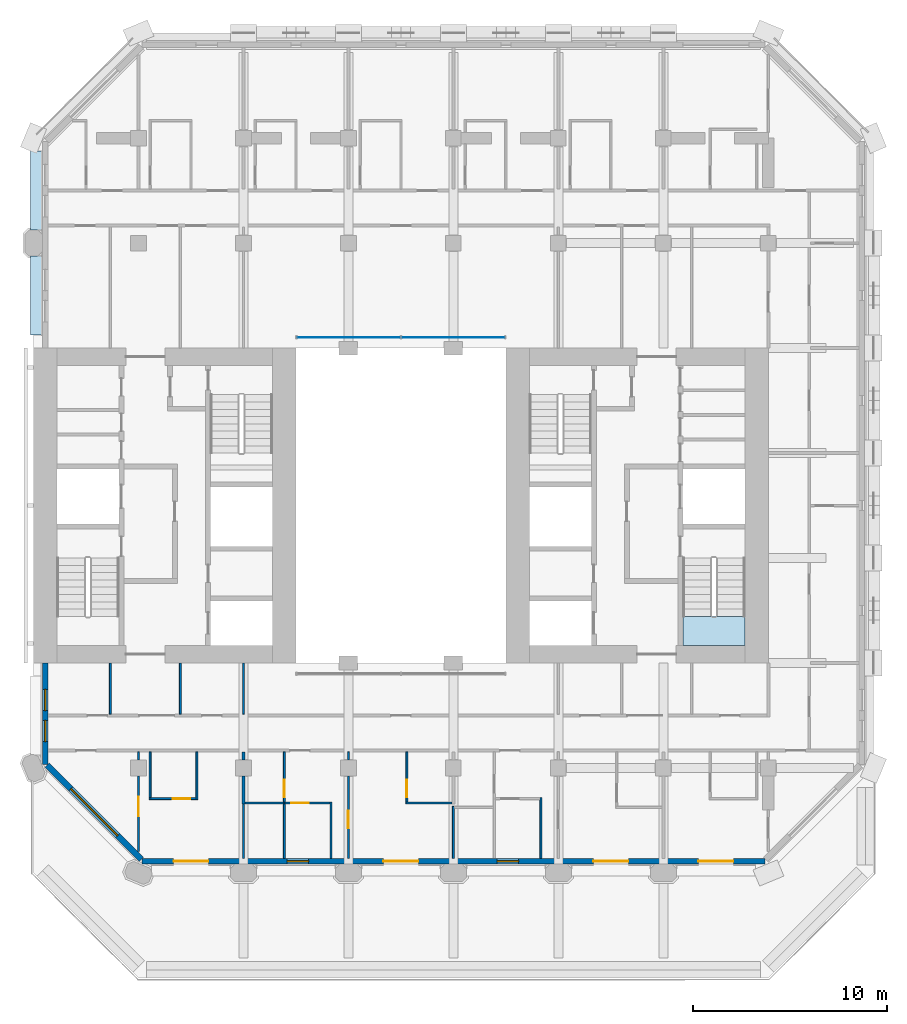
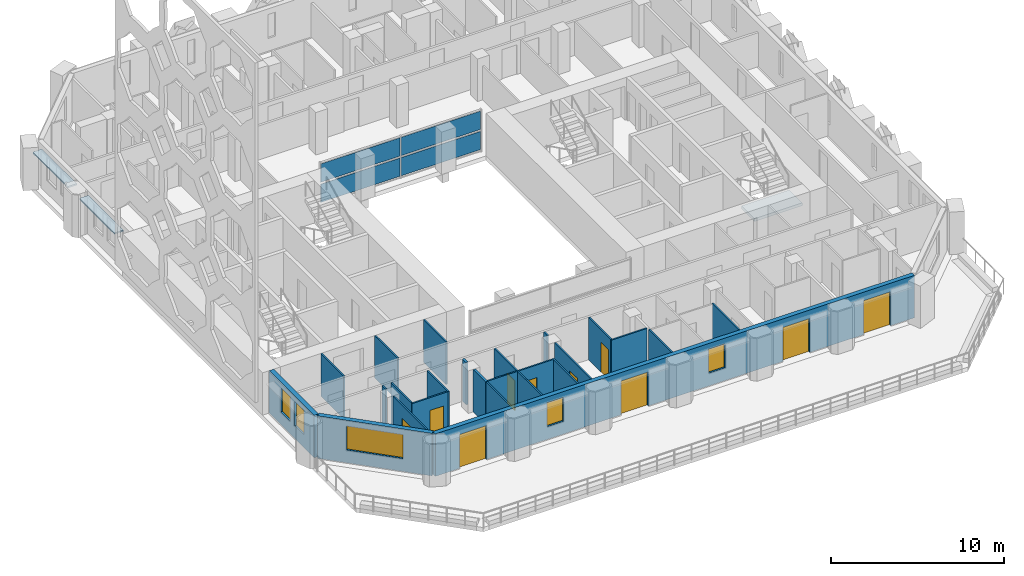
# One storey, part 8 of 17: 24 walls, 10 doors, 6 plates, 5 windows, 1 slab, 15 openings, 2 elements without a shape of their own.
"""IFC4 building model written with IfcOpenShell, lengths in metres."""

from ifc_helpers import new_model, si_unit, direction, frame, frame_2d, origin, origin_2d, place, context, subcontext, project, spatial, polyline, rectangle, outline, extrude, material, layer, layer_set, type_object, element, fill, aggregate, save


model = new_model("IFC4")

# Units and contexts
model_context = context("Model", 3, precision=1e-05, world=origin(), true_north=direction((0.0, 1.0)))
body_context = subcontext(model_context, "Body", "Model", "MODEL_VIEW")
ifc_project = project(units=[si_unit("LENGTHUNIT", "METRE"), si_unit("AREAUNIT", "SQUARE_METRE"), si_unit("VOLUMEUNIT", "CUBIC_METRE"), si_unit("PLANEANGLEUNIT", "RADIAN"), si_unit("MASSUNIT", "GRAM", prefix="KILO")], contexts=[model_context])

# Site, building, storey
site_placement = place(None, origin())
site = spatial("IfcSite", under=ifc_project, at=site_placement, CompositionType="ELEMENT")
building_placement = place(site_placement, origin())
building = spatial("IfcBuilding", under=site, at=building_placement, Name="Tabaq Tower and Sports Hall", CompositionType="ELEMENT")
storey_placement = place(building_placement, frame((0.0, 0.0, 180.699951171875)))
storey = spatial("IfcBuildingStorey", under=building, at=storey_placement, Name="L43", CompositionType="ELEMENT", Elevation=180.699951171875)

# Curtain wall, plates
ifc_material_1 = material(Name="Aluminium alloy 6063-T6 framed glazing", Category="aluminium")
curtain_wall_type = type_object("IfcCurtainWallType", Name="CW1 curtain wall", PredefinedType="USERDEFINED", material=ifc_material_1)
curtain_wall_placement = place(storey_placement, origin())
curtain_wall = element("IfcCurtainWall", 1, at=curtain_wall_placement, inside=storey, type_object=curtain_wall_type, Name="Atrium glazing L43 N", ObjectType="ATRIUM ENCLOSURE", PredefinedType="USERDEFINED")
ifc_material_2 = material(Name="Clear low-emissivity glass 28 mm", Category="glass")
ifc_layer_1 = layer(ifc_material_2, 0.028076171875)
ifc_layer_set_1 = layer_set([ifc_layer_1], Name="CW1 glass panel 28")
plate_type_1 = type_object("IfcPlateType", Name="CW1 glass panel 28", PredefinedType="CURTAIN_PANEL", material=ifc_layer_set_1)
plate_1_placement = place(storey_placement, frame((21.614990234375, 32.949951171875, 0.14013671875), z_axis=(0.0, 0.0, 1.0), x_axis=(1.0, 0.0, 0.0)))
plate_1 = element("IfcPlate", 2, at=plate_1_placement, type_object=plate_type_1, Name="CW1 panel 1.1", PredefinedType="CURTAIN_PANEL", context=body_context, shape_type="SweptSolid", body=[
    extrude(rectangle(XDim=5.31005859375, YDim=0.028076171875, at=origin_2d()), origin(), (0.0, 0.0, 1.0), 1.2900390625),
])
plate_2_placement = place(storey_placement, frame((21.614990234375, 32.949951171875, 1.570068359375), z_axis=(0.0, 0.0, 1.0), x_axis=(1.0, 0.0, 0.0)))
plate_2 = element("IfcPlate", 3, at=plate_2_placement, type_object=plate_type_1, Name="CW1 panel 1.2", PredefinedType="CURTAIN_PANEL", context=body_context, shape_type="SweptSolid", body=[
    extrude(rectangle(XDim=5.31005859375, YDim=0.028076171875, at=origin_2d()), origin(), (0.0, 0.0, 1.0), 1.2900390625),
])
plate_3_placement = place(storey_placement, frame((26.985107421875, 32.949951171875, 0.14013671875), z_axis=(0.0, 0.0, 1.0), x_axis=(1.0, 0.0, 0.0)))
plate_3 = element("IfcPlate", 4, at=plate_3_placement, type_object=plate_type_1, Name="CW1 panel 2.1", PredefinedType="CURTAIN_PANEL", context=body_context, shape_type="SweptSolid", body=[
    extrude(rectangle(XDim=5.31005859375, YDim=0.028076171875, at=origin_2d()), origin(), (0.0, 0.0, 1.0), 1.2900390625),
])
plate_4_placement = place(storey_placement, frame((26.985107421875, 32.949951171875, 1.570068359375), z_axis=(0.0, 0.0, 1.0), x_axis=(1.0, 0.0, 0.0)))
plate_4 = element("IfcPlate", 5, at=plate_4_placement, type_object=plate_type_1, Name="CW1 panel 2.2", PredefinedType="CURTAIN_PANEL", context=body_context, shape_type="SweptSolid", body=[
    extrude(rectangle(XDim=5.31005859375, YDim=0.028076171875, at=origin_2d()), origin(), (0.0, 0.0, 1.0), 1.2900390625),
])
aggregate(curtain_wall, [plate_1, plate_2, plate_3, plate_4])

# Stair, slab
ifc_material_3 = material(Name="Concrete C40/50", Category="concrete")
stair_type = type_object("IfcStairType", Name="Exit stair", PredefinedType="HALF_TURN_STAIR", material=ifc_material_3)
stair_placement = place(storey_placement, origin())
stair = element("IfcStair", 6, at=stair_placement, inside=storey, type_object=stair_type, Name="L43 Exit stair ST3", PredefinedType="HALF_TURN_STAIR")
ifc_material_4 = material(Name="Concrete C40/50", Category="concrete")
ifc_layer_2 = layer(ifc_material_4, 0.199951171875)
ifc_layer_set_2 = layer_set([ifc_layer_2], Name="Exit stair landing")
slab_type = type_object("IfcSlabType", Name="Exit stair landing", PredefinedType="LANDING", material=ifc_layer_set_2)
slab_placement = place(storey_placement, frame((0.0, 0.0, 1.449951171875)))
slab = element("IfcSlab", 7, at=slab_placement, type_object=slab_type, Name="ST3 landing 1", PredefinedType="LANDING", context=body_context, shape_type="SweptSolid", body=[
    extrude(outline(polyline([(38.800048828125, 18.60009765625), (38.800048828125, 17.10009765625), (42.0, 17.10009765625), (42.0, 18.60009765625), (38.800048828125, 18.60009765625)])), origin(), (0.0, 0.0, 1.0), 0.2001953125),
])
aggregate(stair, [slab])

# Plates
ifc_material_5 = material(Name="White precast concrete C60/75 blade", Category="concrete")
ifc_layer_3 = layer(ifc_material_5, 0.10009765625)
ifc_layer_set_3 = layer_set([ifc_layer_3], Name="White precast concrete C60/75 sunshade 100")
plate_type_2 = type_object("IfcPlateType", Name="White precast concrete C60/75 sunshade 100", PredefinedType="USERDEFINED", material=ifc_layer_set_3)
for number, where, z_axis, x_axis, name in (
    (8, (5.550048828125, 40.5, 2.60009765625), (0.0, 0.0, 1.0), (0.0, -1.0, 0.0), "Sunshade L43 W"),
    (9, (5.550048828125, 35.10009765625, 2.60009765625), (0.0, 0.0, 1.0), (0.0, -1.0, 0.0), "Sunshade L43 W"),
):
    element("IfcPlate", number, at=place(storey_placement, frame(where, z_axis=z_axis, x_axis=x_axis)), inside=storey, type_object=plate_type_2, Name=name, ObjectType="SUNSHADE", PredefinedType="USERDEFINED", context=body_context, shape_type="SweptSolid", body=[
        extrude(rectangle(XDim=4.050048828125, YDim=0.60009765625, at=origin_2d()), origin(), (0.0, 0.0, 1.0), 0.10009765625),
    ])

# Walls
ifc_material_6 = material(Name="Gypsum board on steel studs", Category="steel")
ifc_layer_4 = layer(ifc_material_6, 0.10009765625)
ifc_layer_set_4 = layer_set([ifc_layer_4], Name="Partition 100 Gypsum board")
wall_type_1 = type_object("IfcWallType", Name="Partition 100 Gypsum board", PredefinedType="PARTITIONING", material=ifc_layer_set_4)
wall_1_placement = place(storey_placement, frame((16.199951171875, 6.15087890625, 0.0), z_axis=(0.0, 0.0, 1.0), x_axis=(0.0, 1.0, 0.0)))
element("IfcWall", 10, at=wall_1_placement, inside=storey, type_object=wall_type_1, Name="Partition wall L43", PredefinedType="PARTITIONING", context=body_context, shape_type="SweptSolid", body=[
    extrude(rectangle(XDim=2.899169921875, YDim=0.10009765625, at=frame_2d((1.44970703125, 0.0))), origin(), (0.0, 0.0, 1.0), 3.0),
])
wall_2_placement = place(storey_placement, frame((13.800048828125, 11.625, 0.0), z_axis=(0.0, 0.0, 1.0), x_axis=(0.0, -1.0, 0.0)))
element("IfcWall", 11, at=wall_2_placement, inside=storey, type_object=wall_type_1, Name="Partition wall L43", PredefinedType="PARTITIONING", context=body_context, shape_type="SweptSolid", body=[
    extrude(rectangle(XDim=2.449951171875, YDim=0.10009765625, at=frame_2d((1.22509765625, 0.0))), origin(), (0.0, 0.0, 1.0), 3.0),
])

# Wall, opening, door
wall_3_placement = place(storey_placement, frame((13.75, 9.22509765625, 0.0), z_axis=(0.0, 0.0, 1.0), x_axis=(-1.0, 0.0, 0.0)))
wall_3 = element("IfcWall", 12, at=wall_3_placement, inside=storey, type_object=wall_type_1, Name="Partition wall L43", PredefinedType="PARTITIONING", context=body_context, shape_type="SweptSolid", body=[
    extrude(rectangle(XDim=2.39990234375, YDim=0.10009765625, at=frame_2d((1.199951171875, 0.0))), origin(), (0.0, 0.0, 1.0), 3.0),
])
opening_1_placement = place(wall_3_placement, frame((0.300048828125, 0.0, 0.0)))
opening_1 = element("IfcOpeningElement", 13, at=opening_1_placement, cuts=wall_3, Name="Opening L43-016", PredefinedType="OPENING", context=body_context, shape_type="SweptSolid", body=[
    extrude(rectangle(XDim=0.89990234375, YDim=2.10009765625, at=frame_2d((0.449951171875, 1.050048828125))), frame((0.0, 0.050048828125, 0.0), z_axis=(0.0, -1.0, 0.0), x_axis=(1.0, 0.0, 0.0)), (0.0, 0.0, 1.0), 0.10009765625),
])
ifc_material_7 = material(Name="Timber leaf in steel frame", Category="steel")
door_type_1 = type_object("IfcDoorType", Name="Internal door 900 left hand", OperationType="SINGLE_SWING_LEFT", PredefinedType="DOOR", material=ifc_material_7)
door_1_placement = place(opening_1_placement, origin())
door_1 = element("IfcDoor", 14, at=door_1_placement, inside=storey, type_object=door_type_1, Name="Internal door L43-016", OperationType="SINGLE_SWING_LEFT", OverallHeight=2.10009765625, OverallWidth=0.89990234375, PredefinedType="DOOR", context=body_context, shape_type="SweptSolid", body=[
    extrude(rectangle(XDim=0.89990234375, YDim=2.10009765625, at=frame_2d((0.449951171875, 1.050048828125))), frame((0.0, 0.02490234375, 0.0), z_axis=(0.0, -1.0, 0.0), x_axis=(1.0, 0.0, 0.0)), (0.0, 0.0, 1.0), 0.050048828125),
])
fill(opening_1, door_1)

# Walls
wall_4_placement = place(storey_placement, frame((11.39990234375, 9.27490234375, 0.0), z_axis=(0.0, 0.0, 1.0), x_axis=(0.0, 1.0, 0.0)))
element("IfcWall", 15, at=wall_4_placement, inside=storey, type_object=wall_type_1, Name="Partition wall L43", PredefinedType="PARTITIONING", context=body_context, shape_type="SweptSolid", body=[
    extrude(rectangle(XDim=2.35009765625, YDim=0.10009765625, at=frame_2d((1.175048828125, 0.0))), origin(), (0.0, 0.0, 1.0), 3.0),
])
wall_5_placement = place(storey_placement, frame((10.800048828125, 11.625, 0.0), z_axis=(0.0, 0.0, 1.0), x_axis=(0.0, -1.0, 0.0)))
element("IfcWall", 16, at=wall_5_placement, inside=storey, type_object=wall_type_1, Name="Partition wall L43", PredefinedType="PARTITIONING", context=body_context, shape_type="SweptSolid", body=[
    extrude(rectangle(XDim=0.405029296875, YDim=0.10009765625, at=frame_2d((0.20263671875, 0.0))), origin(), (0.0, 0.0, 1.0), 3.0),
])

# Wall, opening, door
wall_6_placement = place(storey_placement, frame((10.800048828125, 10.3798828125, 0.0), z_axis=(0.0, 0.0, 1.0), x_axis=(0.0, -1.0, 0.0)))
wall_6 = element("IfcWall", 17, at=wall_6_placement, inside=storey, type_object=wall_type_1, Name="Partition wall L43", PredefinedType="PARTITIONING", context=body_context, shape_type="SweptSolid", body=[
    extrude(rectangle(XDim=3.86767578125, YDim=0.10009765625, at=frame_2d((1.933837890625, 0.0))), origin(), (0.0, 0.0, 1.0), 3.0),
])
opening_2_placement = place(wall_6_placement, frame((1.0673828125, 0.0, 0.0)))
opening_2 = element("IfcOpeningElement", 18, at=opening_2_placement, cuts=wall_6, Name="Opening L43-041", PredefinedType="OPENING", context=body_context, shape_type="SweptSolid", body=[
    extrude(rectangle(XDim=1.0, YDim=2.10009765625, at=frame_2d((0.5, 1.050048828125))), frame((0.0, 0.050048828125, 0.0), z_axis=(0.0, -1.0, 0.0), x_axis=(1.0, 0.0, 0.0)), (0.0, 0.0, 1.0), 0.10009765625),
])
ifc_material_8 = material(Name="Timber leaf in steel frame", Category="steel")
door_type_2 = type_object("IfcDoorType", Name="Internal door 1000 left hand", OperationType="SINGLE_SWING_LEFT", PredefinedType="DOOR", material=ifc_material_8)
door_2_placement = place(opening_2_placement, origin())
door_2 = element("IfcDoor", 19, at=door_2_placement, inside=storey, type_object=door_type_2, Name="Internal door L43-041", OperationType="SINGLE_SWING_LEFT", OverallHeight=2.10009765625, OverallWidth=1.0, PredefinedType="DOOR", context=body_context, shape_type="SweptSolid", body=[
    extrude(rectangle(XDim=1.0, YDim=2.10009765625, at=frame_2d((0.5, 1.050048828125))), frame((0.0, 0.02490234375, 0.0), z_axis=(0.0, -1.0, 0.0), x_axis=(1.0, 0.0, 0.0)), (0.0, 0.0, 1.0), 0.050048828125),
])
fill(opening_2, door_2)

# Wall
wall_7_placement = place(storey_placement, frame((21.60009765625, 11.625, 0.0), z_axis=(0.0, 0.0, 1.0), x_axis=(0.0, -1.0, 0.0)))
element("IfcWall", 20, at=wall_7_placement, inside=storey, type_object=wall_type_1, Name="Partition wall L43", PredefinedType="PARTITIONING", context=body_context, shape_type="SweptSolid", body=[
    extrude(rectangle(XDim=0.405029296875, YDim=0.10009765625, at=frame_2d((0.20263671875, 0.0))), origin(), (0.0, 0.0, 1.0), 3.0),
])

# Wall, opening, door
wall_8_placement = place(storey_placement, frame((21.60009765625, 10.3798828125, 0.0), z_axis=(0.0, 0.0, 1.0), x_axis=(0.0, -1.0, 0.0)))
wall_8 = element("IfcWall", 21, at=wall_8_placement, inside=storey, type_object=wall_type_1, Name="Partition wall L43", PredefinedType="PARTITIONING", context=body_context, shape_type="SweptSolid", body=[
    extrude(rectangle(XDim=4.22900390625, YDim=0.10009765625, at=frame_2d((2.114501953125, 0.0))), origin(), (0.0, 0.0, 1.0), 3.0),
])
opening_3_placement = place(wall_8_placement, frame((1.780029296875, 0.0, 0.0)))
opening_3 = element("IfcOpeningElement", 22, at=opening_3_placement, cuts=wall_8, Name="Opening L43-042", PredefinedType="OPENING", context=body_context, shape_type="SweptSolid", body=[
    extrude(rectangle(XDim=0.89990234375, YDim=2.10009765625, at=frame_2d((0.449951171875, 1.050048828125))), frame((0.0, 0.050048828125, 0.0), z_axis=(0.0, -1.0, 0.0), x_axis=(1.0, 0.0, 0.0)), (0.0, 0.0, 1.0), 0.10009765625),
])
door_3_placement = place(opening_3_placement, origin())
door_3 = element("IfcDoor", 23, at=door_3_placement, inside=storey, type_object=door_type_1, Name="Internal door L43-042", OperationType="SINGLE_SWING_LEFT", OverallHeight=2.10009765625, OverallWidth=0.89990234375, PredefinedType="DOOR", context=body_context, shape_type="SweptSolid", body=[
    extrude(rectangle(XDim=0.89990234375, YDim=2.10009765625, at=frame_2d((0.449951171875, 1.050048828125))), frame((0.0, 0.02490234375, 0.0), z_axis=(0.0, -1.0, 0.0), x_axis=(1.0, 0.0, 0.0)), (0.0, 0.0, 1.0), 0.050048828125),
])
fill(opening_3, door_3)

# Walls
wall_9_placement = place(storey_placement, frame((27.0, 6.15087890625, 0.0), z_axis=(0.0, 0.0, 1.0), x_axis=(0.0, 1.0, 0.0)))
element("IfcWall", 24, at=wall_9_placement, inside=storey, type_object=wall_type_1, Name="Partition wall L43", PredefinedType="PARTITIONING", context=body_context, shape_type="SweptSolid", body=[
    extrude(rectangle(XDim=2.674072265625, YDim=0.10009765625, at=frame_2d((1.3369140625, 0.0))), origin(), (0.0, 0.0, 1.0), 3.0),
])
wall_10_placement = place(storey_placement, frame((26.925048828125, 9.0, 0.0), z_axis=(0.0, 0.0, 1.0), x_axis=(-1.0, 0.0, 0.0)))
element("IfcWall", 25, at=wall_10_placement, inside=storey, type_object=wall_type_1, Name="Partition wall L43", PredefinedType="PARTITIONING", context=body_context, shape_type="SweptSolid", body=[
    extrude(rectangle(XDim=2.375, YDim=0.10009765625, at=frame_2d((1.1875, 0.0))), origin(), (0.0, 0.0, 1.0), 3.0),
])

# Wall, opening, door
wall_11_placement = place(storey_placement, frame((24.60009765625, 9.050048828125, 0.0), z_axis=(0.0, 0.0, 1.0), x_axis=(0.0, 1.0, 0.0)))
wall_11 = element("IfcWall", 26, at=wall_11_placement, inside=storey, type_object=wall_type_1, Name="Partition wall L43", PredefinedType="PARTITIONING", context=body_context, shape_type="SweptSolid", body=[
    extrude(rectangle(XDim=2.574951171875, YDim=0.10009765625, at=frame_2d((1.28759765625, 0.0))), origin(), (0.0, 0.0, 1.0), 3.0),
])
opening_4_placement = place(wall_11_placement, frame((0.25, 0.0, 0.0)))
opening_4 = element("IfcOpeningElement", 27, at=opening_4_placement, cuts=wall_11, Name="Opening L43-017", PredefinedType="OPENING", context=body_context, shape_type="SweptSolid", body=[
    extrude(rectangle(XDim=0.89990234375, YDim=2.10009765625, at=frame_2d((0.449951171875, 1.050048828125))), frame((0.0, 0.050048828125, 0.0), z_axis=(0.0, -1.0, 0.0), x_axis=(1.0, 0.0, 0.0)), (0.0, 0.0, 1.0), 0.10009765625),
])
ifc_material_9 = material(Name="Timber leaf in steel frame", Category="steel")
door_type_3 = type_object("IfcDoorType", Name="Internal door 900 right hand", OperationType="SINGLE_SWING_RIGHT", PredefinedType="DOOR", material=ifc_material_9)
door_4_placement = place(opening_4_placement, origin())
door_4 = element("IfcDoor", 28, at=door_4_placement, inside=storey, type_object=door_type_3, Name="Internal door L43-017", OperationType="SINGLE_SWING_RIGHT", OverallHeight=2.10009765625, OverallWidth=0.89990234375, PredefinedType="DOOR", context=body_context, shape_type="SweptSolid", body=[
    extrude(rectangle(XDim=0.89990234375, YDim=2.10009765625, at=frame_2d((0.449951171875, 1.050048828125))), frame((0.0, 0.02490234375, 0.0), z_axis=(0.0, -1.0, 0.0), x_axis=(1.0, 0.0, 0.0)), (0.0, 0.0, 1.0), 0.050048828125),
])
fill(opening_4, door_4)

wall_12_placement = place(storey_placement, frame((18.300048828125, 9.050048828125, 0.0), z_axis=(0.0, 0.0, 1.0), x_axis=(0.0, 1.0, 0.0)))
wall_12 = element("IfcWall", 29, at=wall_12_placement, inside=storey, type_object=wall_type_1, Name="Partition wall L43", PredefinedType="PARTITIONING", context=body_context, shape_type="SweptSolid", body=[
    extrude(rectangle(XDim=2.574951171875, YDim=0.10009765625, at=frame_2d((1.28759765625, 0.0))), origin(), (0.0, 0.0, 1.0), 3.0),
])
opening_5_placement = place(wall_12_placement, frame((0.25, 0.0, 0.0)))
opening_5 = element("IfcOpeningElement", 30, at=opening_5_placement, cuts=wall_12, Name="Opening L43-018", PredefinedType="OPENING", context=body_context, shape_type="SweptSolid", body=[
    extrude(rectangle(XDim=0.89990234375, YDim=2.10009765625, at=frame_2d((0.449951171875, 1.050048828125))), frame((0.0, 0.050048828125, 0.0), z_axis=(0.0, -1.0, 0.0), x_axis=(1.0, 0.0, 0.0)), (0.0, 0.0, 1.0), 0.10009765625),
])
door_5_placement = place(opening_5_placement, origin())
door_5 = element("IfcDoor", 31, at=door_5_placement, inside=storey, type_object=door_type_1, Name="Internal door L43-018", OperationType="SINGLE_SWING_LEFT", OverallHeight=2.10009765625, OverallWidth=0.89990234375, PredefinedType="DOOR", context=body_context, shape_type="SweptSolid", body=[
    extrude(rectangle(XDim=0.89990234375, YDim=2.10009765625, at=frame_2d((0.449951171875, 1.050048828125))), frame((0.0, 0.02490234375, 0.0), z_axis=(0.0, -1.0, 0.0), x_axis=(1.0, 0.0, 0.0)), (0.0, 0.0, 1.0), 0.050048828125),
])
fill(opening_5, door_5)

# Wall
wall_13_placement = place(storey_placement, frame((20.699951171875, 9.050048828125, 0.0), z_axis=(0.0, 0.0, 1.0), x_axis=(0.0, -1.0, 0.0)))
element("IfcWall", 32, at=wall_13_placement, inside=storey, type_object=wall_type_1, Name="Partition wall L43", PredefinedType="PARTITIONING", context=body_context, shape_type="SweptSolid", body=[
    extrude(rectangle(XDim=2.899169921875, YDim=0.10009765625, at=frame_2d((1.44970703125, 0.0))), origin(), (0.0, 0.0, 1.0), 3.0),
])

# Wall, opening, door
wall_14_placement = place(storey_placement, frame((16.27490234375, 9.0, 0.0), z_axis=(0.0, 0.0, 1.0), x_axis=(1.0, 0.0, 0.0)))
wall_14 = element("IfcWall", 33, at=wall_14_placement, inside=storey, type_object=wall_type_1, Name="Partition wall L43", PredefinedType="PARTITIONING", context=body_context, shape_type="SweptSolid", body=[
    extrude(rectangle(XDim=4.375, YDim=0.10009765625, at=frame_2d((2.1875, 0.0))), origin(), (0.0, 0.0, 1.0), 3.0),
])
opening_6_placement = place(wall_14_placement, frame((2.375, 0.0, 0.0)))
opening_6 = element("IfcOpeningElement", 34, at=opening_6_placement, cuts=wall_14, Name="Opening L43-019", PredefinedType="OPENING", context=body_context, shape_type="SweptSolid", body=[
    extrude(rectangle(XDim=0.89990234375, YDim=2.10009765625, at=frame_2d((0.449951171875, 1.050048828125))), frame((0.0, 0.050048828125, 0.0), z_axis=(0.0, -1.0, 0.0), x_axis=(1.0, 0.0, 0.0)), (0.0, 0.0, 1.0), 0.10009765625),
])
door_6_placement = place(opening_6_placement, origin())
door_6 = element("IfcDoor", 35, at=door_6_placement, inside=storey, type_object=door_type_3, Name="Internal door L43-019", OperationType="SINGLE_SWING_RIGHT", OverallHeight=2.10009765625, OverallWidth=0.89990234375, PredefinedType="DOOR", context=body_context, shape_type="SweptSolid", body=[
    extrude(rectangle(XDim=0.89990234375, YDim=2.10009765625, at=frame_2d((0.449951171875, 1.050048828125))), frame((0.0, 0.02490234375, 0.0), z_axis=(0.0, -1.0, 0.0), x_axis=(1.0, 0.0, 0.0)), (0.0, 0.0, 1.0), 0.050048828125),
])
fill(opening_6, door_6)

# Walls
wall_15_placement = place(storey_placement, frame((18.300048828125, 8.949951171875, 0.0), z_axis=(0.0, 0.0, 1.0), x_axis=(0.0, -1.0, 0.0)))
element("IfcWall", 36, at=wall_15_placement, inside=storey, type_object=wall_type_1, Name="Partition wall L43", PredefinedType="PARTITIONING", context=body_context, shape_type="SweptSolid", body=[
    extrude(rectangle(XDim=2.799072265625, YDim=0.10009765625, at=frame_2d((1.3994140625, 0.0))), origin(), (0.0, 0.0, 1.0), 3.0),
])
wall_16_placement = place(storey_placement, frame((31.5, 9.27490234375, 0.0), z_axis=(0.0, 0.0, 1.0), x_axis=(0.0, -1.0, 0.0)))
element("IfcWall", 37, at=wall_16_placement, inside=storey, type_object=wall_type_1, Name="Partition wall L43", PredefinedType="PARTITIONING", context=body_context, shape_type="SweptSolid", body=[
    extrude(rectangle(XDim=3.1240234375, YDim=0.10009765625, at=frame_2d((1.56201171875, 0.0))), origin(), (0.0, 0.0, 1.0), 3.0),
])
for number, where, z_axis, x_axis, name in (
    (38, (16.199951171875, 16.199951171875, 0.0), (0.0, 0.0, 1.0), (0.0, -1.0, 0.0), "Partition wall L43"),
    (39, (9.35009765625, 16.199951171875, 0.0), (0.0, 0.0, 1.0), (0.0, -1.0, 0.0), "Partition wall L43"),
    (40, (12.949951171875, 13.574951171875, 0.0), (0.0, 0.0, 1.0), (0.0, 1.0, 0.0), "Partition wall L43"),
):
    element("IfcWall", number, at=place(storey_placement, frame(where, z_axis=z_axis, x_axis=x_axis)), inside=storey, type_object=wall_type_1, Name=name, PredefinedType="PARTITIONING", context=body_context, shape_type="SweptSolid", body=[
        extrude(rectangle(XDim=2.625, YDim=0.10009765625, at=frame_2d((1.3125, 0.0))), origin(), (0.0, 0.0, 1.0), 3.0),
    ])
ifc_material_10 = material(Name="Blockwork", Category="masonry")
ifc_layer_5 = layer(ifc_material_10, 0.14990234375)
ifc_layer_set_5 = layer_set([ifc_layer_5], Name="Separating wall 150 Blockwork")
wall_type_2 = type_object("IfcWallType", Name="Separating wall 150 Blockwork", PredefinedType="PARTITIONING", material=ifc_layer_set_5)
wall_17_placement = place(storey_placement, frame((16.199951171875, 8.949951171875, 0.0), z_axis=(0.0, 0.0, 1.0), x_axis=(0.0, 1.0, 0.0)))
element("IfcWall", 41, at=wall_17_placement, inside=storey, type_object=wall_type_2, Name="Separating wall L43", PredefinedType="PARTITIONING", context=body_context, shape_type="SweptSolid", body=[
    extrude(rectangle(XDim=1.429931640625, YDim=0.14990234375, at=frame_2d((0.71484375, 0.0))), origin(), (0.0, 0.0, 1.0), 3.0),
])
wall_18_placement = place(storey_placement, frame((16.199951171875, 11.219970703125, 0.0), z_axis=(0.0, 0.0, 1.0), x_axis=(0.0, 1.0, 0.0)))
element("IfcWall", 42, at=wall_18_placement, inside=storey, type_object=wall_type_2, Name="Separating wall L43", PredefinedType="PARTITIONING", context=body_context, shape_type="SweptSolid", body=[
    extrude(rectangle(XDim=0.405029296875, YDim=0.14990234375, at=frame_2d((0.20263671875, 0.0))), origin(), (0.0, 0.0, 1.0), 3.0),
])

# Wall, openings, doors, windows
ifc_material_11 = material(Name="White precast concrete C60/75", Category="concrete")
ifc_layer_6 = layer(ifc_material_11, 0.300048828125)
ifc_layer_set_6 = layer_set([ifc_layer_6], Name="White precast concrete C60/75 external wall 300")
wall_type_3 = type_object("IfcWallType", Name="White precast concrete C60/75 external wall 300", PredefinedType="SOLIDWALL", material=ifc_layer_set_6)
wall_19_placement = place(storey_placement, frame((10.986328125, 6.0, 0.0), z_axis=(0.0, 0.0, 1.0), x_axis=(1.0, 0.0, 0.0)))
wall_19 = element("IfcWall", 43, at=wall_19_placement, inside=storey, type_object=wall_type_3, Name="External Wall L43 S", PredefinedType="SOLIDWALL", context=body_context, shape_type="SweptSolid", body=[
    extrude(rectangle(XDim=32.02734375, YDim=0.300048828125, at=frame_2d((16.013671875, 0.0))), origin(), (0.0, 0.0, 1.0), 3.0),
])
opening_7_placement = place(wall_19_placement, frame((1.613525390625, 0.0, 0.0)))
opening_7 = element("IfcOpeningElement", 44, at=opening_7_placement, cuts=wall_19, Name="Opening TD4301", PredefinedType="OPENING", context=body_context, shape_type="SweptSolid", body=[
    extrude(rectangle(XDim=1.800048828125, YDim=2.39990234375, at=frame_2d((0.89990234375, 1.199951171875))), frame((0.0, 0.16015625, 0.0), z_axis=(0.0, -1.0, 0.0), x_axis=(1.0, 0.0, 0.0)), (0.0, 0.0, 1.0), 0.320068359375),
])
opening_8_placement = place(wall_19_placement, frame((12.41357421875, 0.0, 0.0)))
opening_8 = element("IfcOpeningElement", 45, at=opening_8_placement, cuts=wall_19, Name="Opening TD4302", PredefinedType="OPENING", context=body_context, shape_type="SweptSolid", body=[
    extrude(rectangle(XDim=1.800048828125, YDim=2.39990234375, at=frame_2d((0.89990234375, 1.199951171875))), frame((0.0, 0.16015625, 0.0), z_axis=(0.0, -1.0, 0.0), x_axis=(1.0, 0.0, 0.0)), (0.0, 0.0, 1.0), 0.320068359375),
])
opening_9_placement = place(wall_19_placement, frame((23.213623046875, 0.0, 0.0)))
opening_9 = element("IfcOpeningElement", 46, at=opening_9_placement, cuts=wall_19, Name="Opening TD4303", PredefinedType="OPENING", context=body_context, shape_type="SweptSolid", body=[
    extrude(rectangle(XDim=1.800048828125, YDim=2.39990234375, at=frame_2d((0.89990234375, 1.199951171875))), frame((0.0, 0.16015625, 0.0), z_axis=(0.0, -1.0, 0.0), x_axis=(1.0, 0.0, 0.0)), (0.0, 0.0, 1.0), 0.320068359375),
])
opening_10_placement = place(wall_19_placement, frame((28.613525390625, 0.0, 0.0)))
opening_10 = element("IfcOpeningElement", 47, at=opening_10_placement, cuts=wall_19, Name="Opening TD4304", PredefinedType="OPENING", context=body_context, shape_type="SweptSolid", body=[
    extrude(rectangle(XDim=1.800048828125, YDim=2.39990234375, at=frame_2d((0.89990234375, 1.199951171875))), frame((0.0, 0.16015625, 0.0), z_axis=(0.0, -1.0, 0.0), x_axis=(1.0, 0.0, 0.0)), (0.0, 0.0, 1.0), 0.320068359375),
])
opening_11_placement = place(wall_19_placement, frame((7.463623046875, 0.0, 0.89990234375)))
opening_11 = element("IfcOpeningElement", 48, at=opening_11_placement, cuts=wall_19, Name="Opening W1B", PredefinedType="OPENING", context=body_context, shape_type="SweptSolid", body=[
    extrude(rectangle(XDim=1.10009765625, YDim=1.699951171875, at=frame_2d((0.550048828125, 0.85009765625))), frame((0.0, 0.16015625, 0.0), z_axis=(0.0, -1.0, 0.0), x_axis=(1.0, 0.0, 0.0)), (0.0, 0.0, 1.0), 0.320068359375),
])
opening_12_placement = place(wall_19_placement, frame((18.263671875, 0.0, 0.89990234375)))
opening_12 = element("IfcOpeningElement", 49, at=opening_12_placement, cuts=wall_19, Name="Opening W1B", PredefinedType="OPENING", context=body_context, shape_type="SweptSolid", body=[
    extrude(rectangle(XDim=1.10009765625, YDim=1.699951171875, at=frame_2d((0.550048828125, 0.85009765625))), frame((0.0, 0.16015625, 0.0), z_axis=(0.0, -1.0, 0.0), x_axis=(1.0, 0.0, 0.0)), (0.0, 0.0, 1.0), 0.320068359375),
])
ifc_material_12 = material(Name="Aluminium framed clear glazing", Category="aluminium")
door_type_4 = type_object("IfcDoorType", Name="Terrace door TD1", OperationType="DOUBLE_DOOR_DOUBLE_SWING", PredefinedType="DOOR", material=ifc_material_12)
door_7_placement = place(opening_7_placement, origin())
door_7 = element("IfcDoor", 50, at=door_7_placement, inside=storey, type_object=door_type_4, Name="Terrace door TD4301", OperationType="DOUBLE_DOOR_DOUBLE_SWING", OverallHeight=2.39990234375, OverallWidth=1.800048828125, PredefinedType="DOOR", context=body_context, shape_type="SweptSolid", body=[
    extrude(rectangle(XDim=1.800048828125, YDim=2.39990234375, at=frame_2d((0.89990234375, 1.199951171875))), frame((0.0, 0.02490234375, 0.0), z_axis=(0.0, -1.0, 0.0), x_axis=(1.0, 0.0, 0.0)), (0.0, 0.0, 1.0), 0.050048828125),
])
fill(opening_7, door_7)
door_8_placement = place(opening_8_placement, origin())
door_8 = element("IfcDoor", 51, at=door_8_placement, inside=storey, type_object=door_type_4, Name="Terrace door TD4302", OperationType="DOUBLE_DOOR_DOUBLE_SWING", OverallHeight=2.39990234375, OverallWidth=1.800048828125, PredefinedType="DOOR", context=body_context, shape_type="SweptSolid", body=[
    extrude(rectangle(XDim=1.800048828125, YDim=2.39990234375, at=frame_2d((0.89990234375, 1.199951171875))), frame((0.0, 0.02490234375, 0.0), z_axis=(0.0, -1.0, 0.0), x_axis=(1.0, 0.0, 0.0)), (0.0, 0.0, 1.0), 0.050048828125),
])
fill(opening_8, door_8)
door_9_placement = place(opening_9_placement, origin())
door_9 = element("IfcDoor", 52, at=door_9_placement, inside=storey, type_object=door_type_4, Name="Terrace door TD4303", OperationType="DOUBLE_DOOR_DOUBLE_SWING", OverallHeight=2.39990234375, OverallWidth=1.800048828125, PredefinedType="DOOR", context=body_context, shape_type="SweptSolid", body=[
    extrude(rectangle(XDim=1.800048828125, YDim=2.39990234375, at=frame_2d((0.89990234375, 1.199951171875))), frame((0.0, 0.02490234375, 0.0), z_axis=(0.0, -1.0, 0.0), x_axis=(1.0, 0.0, 0.0)), (0.0, 0.0, 1.0), 0.050048828125),
])
fill(opening_9, door_9)
door_10_placement = place(opening_10_placement, origin())
door_10 = element("IfcDoor", 53, at=door_10_placement, inside=storey, type_object=door_type_4, Name="Terrace door TD4304", OperationType="DOUBLE_DOOR_DOUBLE_SWING", OverallHeight=2.39990234375, OverallWidth=1.800048828125, PredefinedType="DOOR", context=body_context, shape_type="SweptSolid", body=[
    extrude(rectangle(XDim=1.800048828125, YDim=2.39990234375, at=frame_2d((0.89990234375, 1.199951171875))), frame((0.0, 0.02490234375, 0.0), z_axis=(0.0, -1.0, 0.0), x_axis=(1.0, 0.0, 0.0)), (0.0, 0.0, 1.0), 0.050048828125),
])
fill(opening_10, door_10)
ifc_material_13 = material(Name="Aluminium framed clear glazing", Category="aluminium")
window_type_1 = type_object("IfcWindowType", Name="Window W1B", PartitioningType="SINGLE_PANEL", PredefinedType="WINDOW", material=ifc_material_13)
window_1_placement = place(opening_11_placement, origin())
window_1 = element("IfcWindow", 54, at=window_1_placement, inside=storey, type_object=window_type_1, Name="Window W1B L43", OverallHeight=1.699951171875, OverallWidth=1.10009765625, PartitioningType="SINGLE_PANEL", PredefinedType="WINDOW", context=body_context, shape_type="SweptSolid", body=[
    extrude(rectangle(XDim=1.10009765625, YDim=1.699951171875, at=frame_2d((0.550048828125, 0.85009765625))), frame((0.0, 0.030029296875, 0.0), z_axis=(0.0, -1.0, 0.0), x_axis=(1.0, 0.0, 0.0)), (0.0, 0.0, 1.0), 0.06005859375),
])
fill(opening_11, window_1)
window_2_placement = place(opening_12_placement, origin())
window_2 = element("IfcWindow", 55, at=window_2_placement, inside=storey, type_object=window_type_1, Name="Window W1B L43", OverallHeight=1.699951171875, OverallWidth=1.10009765625, PartitioningType="SINGLE_PANEL", PredefinedType="WINDOW", context=body_context, shape_type="SweptSolid", body=[
    extrude(rectangle(XDim=1.10009765625, YDim=1.699951171875, at=frame_2d((0.550048828125, 0.85009765625))), frame((0.0, 0.030029296875, 0.0), z_axis=(0.0, -1.0, 0.0), x_axis=(1.0, 0.0, 0.0)), (0.0, 0.0, 1.0), 0.06005859375),
])
fill(opening_12, window_2)

# Wall, openings, windows
wall_20_placement = place(storey_placement, frame((6.0, 16.199951171875, 0.0), z_axis=(0.0, 0.0, 1.0), x_axis=(0.0, -1.0, 0.0)))
wall_20 = element("IfcWall", 56, at=wall_20_placement, inside=storey, type_object=wall_type_3, Name="External Wall L43 W", PredefinedType="SOLIDWALL", context=body_context, shape_type="SweptSolid", body=[
    extrude(rectangle(XDim=5.213623046875, YDim=0.300048828125, at=frame_2d((2.60693359375, 0.0))), origin(), (0.0, 0.0, 1.0), 3.0),
])
opening_13_placement = place(wall_20_placement, frame((1.35009765625, 0.0, 0.89990234375)))
opening_13 = element("IfcOpeningElement", 57, at=opening_13_placement, cuts=wall_20, Name="Opening W1B", PredefinedType="OPENING", context=body_context, shape_type="SweptSolid", body=[
    extrude(rectangle(XDim=1.10009765625, YDim=1.699951171875, at=frame_2d((0.550048828125, 0.85009765625))), frame((0.0, 0.16015625, 0.0), z_axis=(0.0, -1.0, 0.0), x_axis=(1.0, 0.0, 0.0)), (0.0, 0.0, 1.0), 0.320068359375),
])
opening_14_placement = place(wall_20_placement, frame((2.949951171875, 0.0, 0.89990234375)))
opening_14 = element("IfcOpeningElement", 58, at=opening_14_placement, cuts=wall_20, Name="Opening W1B", PredefinedType="OPENING", context=body_context, shape_type="SweptSolid", body=[
    extrude(rectangle(XDim=1.10009765625, YDim=1.699951171875, at=frame_2d((0.550048828125, 0.85009765625))), frame((0.0, 0.16015625, 0.0), z_axis=(0.0, -1.0, 0.0), x_axis=(1.0, 0.0, 0.0)), (0.0, 0.0, 1.0), 0.320068359375),
])
window_3_placement = place(opening_13_placement, origin())
window_3 = element("IfcWindow", 59, at=window_3_placement, inside=storey, type_object=window_type_1, Name="Window W1B L43", OverallHeight=1.699951171875, OverallWidth=1.10009765625, PartitioningType="SINGLE_PANEL", PredefinedType="WINDOW", context=body_context, shape_type="SweptSolid", body=[
    extrude(rectangle(XDim=1.10009765625, YDim=1.699951171875, at=frame_2d((0.550048828125, 0.85009765625))), frame((0.0, 0.030029296875, 0.0), z_axis=(0.0, -1.0, 0.0), x_axis=(1.0, 0.0, 0.0)), (0.0, 0.0, 1.0), 0.06005859375),
])
fill(opening_13, window_3)
window_4_placement = place(opening_14_placement, origin())
window_4 = element("IfcWindow", 60, at=window_4_placement, inside=storey, type_object=window_type_1, Name="Window W1B L43", OverallHeight=1.699951171875, OverallWidth=1.10009765625, PartitioningType="SINGLE_PANEL", PredefinedType="WINDOW", context=body_context, shape_type="SweptSolid", body=[
    extrude(rectangle(XDim=1.10009765625, YDim=1.699951171875, at=frame_2d((0.550048828125, 0.85009765625))), frame((0.0, 0.030029296875, 0.0), z_axis=(0.0, -1.0, 0.0), x_axis=(1.0, 0.0, 0.0)), (0.0, 0.0, 1.0), 0.06005859375),
])
fill(opening_14, window_4)

# Wall, opening, window
wall_21_placement = place(storey_placement, frame((6.098876953125, 10.949462890625, 0.0), z_axis=(0.0, 0.0, 1.0), x_axis=(0.707106781187, -0.707106781187, 0.0)))
wall_21 = element("IfcWall", 61, at=wall_21_placement, inside=storey, type_object=wall_type_3, Name="External Wall L43 SW", PredefinedType="SOLIDWALL", context=body_context, shape_type="SweptSolid", body=[
    extrude(rectangle(XDim=6.85986328125, YDim=0.300048828125, at=frame_2d((3.429931640625, 0.0))), origin(), (0.0, 0.0, 1.0), 3.0),
])
opening_15_placement = place(wall_21_placement, frame((1.729736328125, 0.0, 0.89990234375)))
opening_15 = element("IfcOpeningElement", 62, at=opening_15_placement, cuts=wall_21, Name="Opening W1A", PredefinedType="OPENING", context=body_context, shape_type="SweptSolid", body=[
    extrude(rectangle(XDim=3.39990234375, YDim=1.699951171875, at=frame_2d((1.699951171875, 0.85009765625))), frame((0.0, 0.16015625, 0.0), z_axis=(0.0, -1.0, 0.0), x_axis=(1.0, 0.0, 0.0)), (0.0, 0.0, 1.0), 0.320068359375),
])
ifc_material_14 = material(Name="Aluminium framed clear glazing", Category="aluminium")
window_type_2 = type_object("IfcWindowType", Name="Window W1A", PartitioningType="SINGLE_PANEL", PredefinedType="WINDOW", material=ifc_material_14)
window_5_placement = place(opening_15_placement, origin())
window_5 = element("IfcWindow", 63, at=window_5_placement, inside=storey, type_object=window_type_2, Name="Window W1A L43", OverallHeight=1.699951171875, OverallWidth=3.39990234375, PartitioningType="SINGLE_PANEL", PredefinedType="WINDOW", context=body_context, shape_type="SweptSolid", body=[
    extrude(rectangle(XDim=3.39990234375, YDim=1.699951171875, at=frame_2d((1.699951171875, 0.85009765625))), frame((0.0, 0.030029296875, 0.0), z_axis=(0.0, -1.0, 0.0), x_axis=(1.0, 0.0, 0.0)), (0.0, 0.0, 1.0), 0.06005859375),
])
fill(opening_15, window_5)

save(model, "model.ifc")
